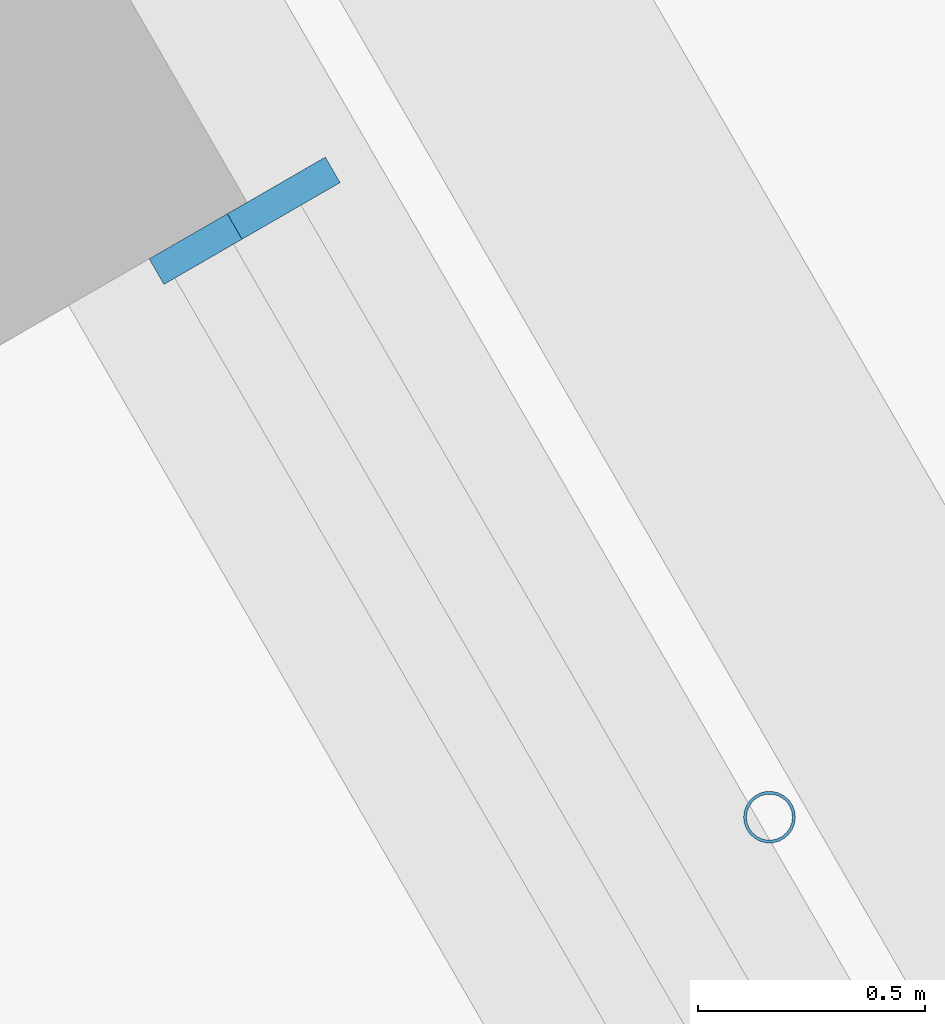
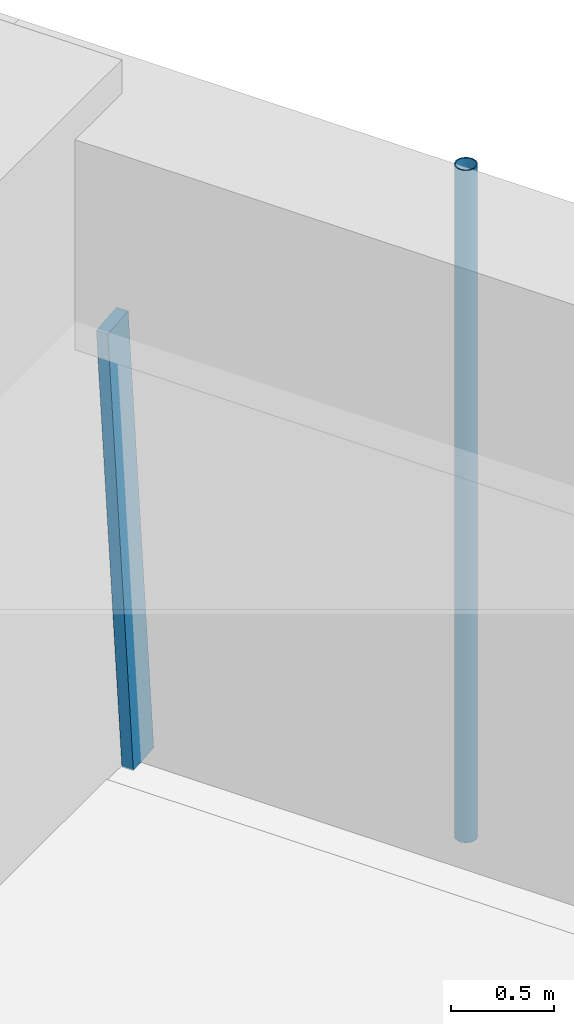
# One storey, part 15 of 24: 2 members, 1 element without a shape of its own.
"""IFC4 building model written with IfcOpenShell, lengths in metres."""

from ifc_helpers import new_model, si_unit, direction, frame, origin, origin_2d, place, context, subcontext, project, spatial, rectangle, hollow_circle, extrude, material, material_profile, profile_set, type_object, element, aggregate, save


model = new_model("IFC4")

# Units and contexts
model_context = context("Model", 3, precision=1e-05, world=origin(), true_north=direction((0.0, 1.0)))
body_context = subcontext(model_context, "Body", "Model", "MODEL_VIEW")
ifc_project = project(units=[si_unit("LENGTHUNIT", "METRE"), si_unit("AREAUNIT", "SQUARE_METRE"), si_unit("VOLUMEUNIT", "CUBIC_METRE"), si_unit("PLANEANGLEUNIT", "RADIAN"), si_unit("MASSUNIT", "GRAM", prefix="KILO")], contexts=[model_context])

# Site, building, storey
site_placement = place(None, origin())
site = spatial("IfcSite", under=ifc_project, at=site_placement, CompositionType="ELEMENT")
building_placement = place(site_placement, origin())
building = spatial("IfcBuilding", under=site, at=building_placement, Name="Tarfa Lantern Tower", CompositionType="ELEMENT")
storey_placement = place(building_placement, frame((0.0, 0.0, 195.10009765625)))
storey = spatial("IfcBuildingStorey", under=building, at=storey_placement, Name="L44", CompositionType="ELEMENT", Elevation=195.10009765625)

# Curtain wall, member
ifc_material_1 = material(Name="Aluminium framed curtain wall", Category="aluminium")
curtain_wall_type = type_object("IfcCurtainWallType", Name="CW2 CANTED GLAZING MID ZONE 2750", PredefinedType="USERDEFINED", material=ifc_material_1)
curtain_wall_placement = place(storey_placement, origin())
curtain_wall = element("IfcCurtainWall", 1, at=curtain_wall_placement, inside=storey, type_object=curtain_wall_type, Name="CW2 NE L44", ObjectType="CURTAIN WALL", PredefinedType="USERDEFINED")
ifc_material_2 = material(Name="Aluminium mullion", Category="aluminium")
ifc_material_profile_1 = material_profile(ifc_material_2, rectangle(XDim=0.06494140625, YDim=0.199951171875, at=origin_2d()), Name="AL MULLION 65x200")
ifc_profile_set_1 = profile_set([ifc_material_profile_1], Name="Aluminium mullion")
member_type_1 = type_object("IfcMemberType", Name="CWM1 MULLION 65x200", PredefinedType="MULLION", material=ifc_profile_set_1)
member_1_placement = place(storey_placement, frame((30.086181640625, 10.68896484375, 0.0), z_axis=(-0.078335079308, -0.045268127094, 0.995898796073), x_axis=(0.500342721131, -0.865827443207, 0.0)))
member_1 = element("IfcMember", 2, at=member_1_placement, type_object=member_type_1, Name="CW2 mullion 2", PredefinedType="MULLION", context=body_context, shape_type="SweptSolid", body=[
    extrude(rectangle(XDim=0.06494140625, YDim=0.199951171875, at=origin_2d()), origin(), (0.0, 0.0, 1.0), 2.76123046875),
])
aggregate(curtain_wall, [member_1])

# Member
ifc_material_3 = material(Name="Steel S355", Category="steel")
ifc_material_profile_2 = material_profile(ifc_material_3, hollow_circle(Radius=0.05712890625, WallThickness=0.00634765625, at=origin_2d()), Name="CHS114.3x6.3")
ifc_profile_set_2 = profile_set([ifc_material_profile_2], Name="Steel S355")
member_type_2 = type_object("IfcMemberType", Name="TR1 GREEN WALL TRELLIS CHS114.3x6.3", PredefinedType="USERDEFINED", material=ifc_profile_set_2)
member_2_placement = place(storey_placement, frame((31.136474609375, 9.31005859375, 0.0), z_axis=(0.0, 0.0, 1.0), x_axis=(1.0, 0.0, 0.0)))
element("IfcMember", 3, at=member_2_placement, inside=storey, type_object=member_type_2, Name="Trellis post NE 1", ObjectType="TRELLIS", PredefinedType="USERDEFINED", context=body_context, shape_type="SweptSolid", body=[
    extrude(hollow_circle(Radius=0.05712890625, WallThickness=0.00634765625, at=origin_2d()), origin(), (0.0, 0.0, 1.0), 4.0),
])

save(model, "model.ifc")
